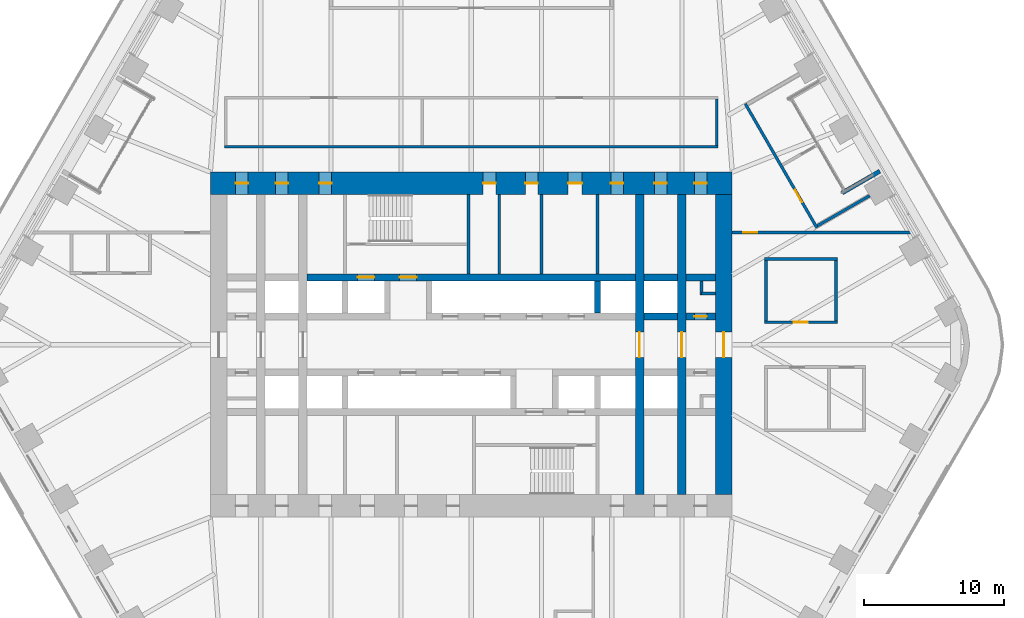
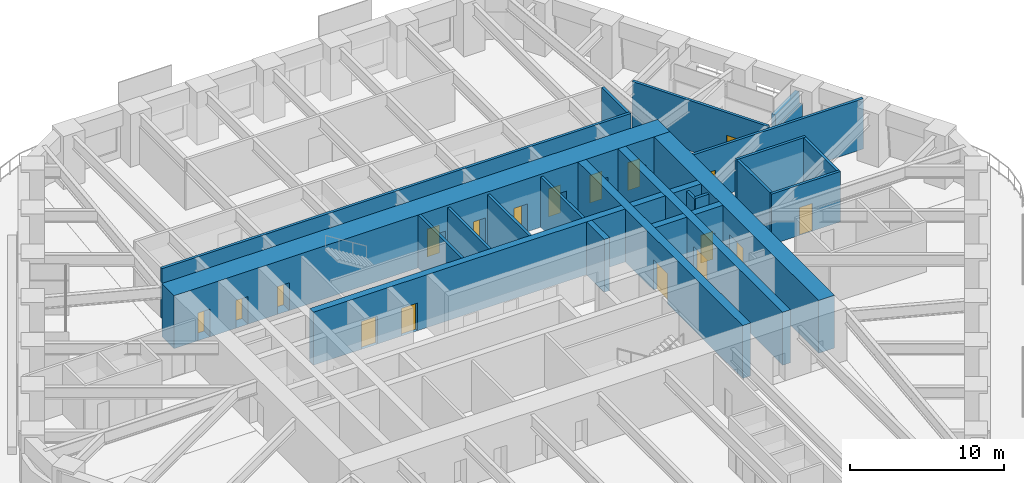
# One storey, part 20 of 24: 26 walls, 18 doors, 18 openings.
"""IFC4 building model written with IfcOpenShell, lengths in metres."""

import ifcopenshell
import ifcopenshell.guid

model = None  # the IFC model being written
_history = None  # IfcOwnerHistory: only IFC2X3 demands one
_inside = {}  # id of a spatial element -> (the spatial element, [elements in it])
_under = {}  # id of a project, library or spatial element -> (it, [spatial elements below it])
_declared = {}  # id of a project -> (the project, [libraries it declares])
_typed = {}  # id of a type object -> (the type object, [elements of that type])
_made_of = {}  # id of a material, layer set ... -> (it, [elements and type objects made of it])


def new_model(schema):
    """Start an empty IFC model of exactly this schema.

    Asked for "IFC4X3", IfcOpenShell would pick the latest addendum, in which some entities
    have other attributes; the version numbers below select the first issue.
    IFC2X3 requires an IfcOwnerHistory on every rooted entity: one is made here for all.
    """
    global model, _history
    if schema == "IFC4X3":
        model = ifcopenshell.file(schema_version=(4, 3, 0, 0))
    else:
        model = ifcopenshell.file(schema=schema)
    _inside.clear()
    _under.clear()
    _declared.clear()
    _typed.clear()
    _made_of.clear()
    _history = None
    if model.schema == "IFC2X3":
        org = make("IfcOrganization", Name="unknown")
        user = make(
            "IfcPersonAndOrganization",
            ThePerson=make("IfcPerson", FamilyName="unknown"),
            TheOrganization=org,
        )
        app = make(
            "IfcApplication",
            ApplicationDeveloper=org,
            Version="unknown",
            ApplicationFullName="unknown",
            ApplicationIdentifier="unknown",
        )
        _history = make(
            "IfcOwnerHistory",
            OwningUser=user,
            OwningApplication=app,
            ChangeAction="ADDED",
            CreationDate=0,
        )
    return model


def make(cls, **values):
    """One entity of the class cls with the attributes given. An attribute that is None is left unset."""
    return model.create_entity(
        cls, **{name: value for name, value in values.items() if value is not None}
    )


def rooted(cls, **values):
    """An entity with a GlobalId (a new one), such as an element, a storey or a relation."""
    return make(cls, GlobalId=ifcopenshell.guid.new(), OwnerHistory=_history, **values)


def si_unit(unit_type, name, prefix=None):
    """IfcSIUnit, for example si_unit("LENGTHUNIT", "METRE", prefix="MILLI")."""
    return make("IfcSIUnit", UnitType=unit_type, Prefix=prefix, Name=name)


def assignment(units):
    """IfcUnitAssignment: the units of a project."""
    return None if units is None else make("IfcUnitAssignment", Units=units)


def point(xyz):
    """IfcCartesianPoint."""
    return None if xyz is None else make("IfcCartesianPoint", Coordinates=xyz)


def direction(xyz):
    """IfcDirection."""
    return None if xyz is None else make("IfcDirection", DirectionRatios=xyz)


def frame(location, z_axis=None, x_axis=None):
    """IfcAxis2Placement3D, a coordinate frame: its origin and axes. An axis left out is left unset."""
    return make(
        "IfcAxis2Placement3D",
        Location=point(location),
        Axis=direction(z_axis),
        RefDirection=direction(x_axis),
    )


def frame_2d(location, x_axis=None):
    """IfcAxis2Placement2D, a coordinate frame in the plane: its origin and x axis."""
    return make(
        "IfcAxis2Placement2D", Location=point(location), RefDirection=direction(x_axis)
    )


def origin():
    """The frame at (0, 0, 0) with its axes left unset."""
    return frame((0.0, 0.0, 0.0))


def place(relative_to, where):
    """IfcLocalPlacement: puts the frame where relative to a parent placement (None: the world)."""
    return make(
        "IfcLocalPlacement", PlacementRelTo=relative_to, RelativePlacement=where
    )


def context(
    kind, dimensions, precision=None, world=None, true_north=None, identifier=None
):
    """IfcGeometricRepresentationContext, for example the 3D "Model" context."""
    return make(
        "IfcGeometricRepresentationContext",
        ContextIdentifier=identifier,
        ContextType=kind,
        CoordinateSpaceDimension=dimensions,
        Precision=precision,
        WorldCoordinateSystem=world,
        TrueNorth=true_north,
    )


def subcontext(parent, identifier, kind, view, scale=None):
    """IfcGeometricRepresentationSubContext, for example "Body" below "Model"."""
    return make(
        "IfcGeometricRepresentationSubContext",
        ContextIdentifier=identifier,
        ContextType=kind,
        ParentContext=parent,
        TargetScale=scale,
        TargetView=view,
    )


def project(units=None, contexts=None):
    """IfcProject with its units and contexts."""
    return rooted(
        "IfcProject",
        Name="project",
        RepresentationContexts=contexts,
        UnitsInContext=assignment(units),
    )


def spatial(cls, under=None, at=None, **own):
    """A site, building, storey or space (cls), placed at a placement, below another one or the project."""
    s = rooted(cls, ObjectPlacement=at, **own)
    if under is not None:
        _under.setdefault(under.id(), (under, []))[1].append(s)
    return s


def profile(cls, at=None, kind="AREA", **sizes):
    """A parametric profile (cls). Its sizes go by their IFC names, for example OverallWidth=200.0."""
    return make(cls, ProfileType=kind, Position=at, **sizes)


def rectangle(**sizes):
    """IfcRectangleProfileDef."""
    return profile("IfcRectangleProfileDef", **sizes)


def extrude(swept, where, along, depth):
    """IfcExtrudedAreaSolid: the profile swept, set in the frame where, extruded along a direction by depth."""
    return make(
        "IfcExtrudedAreaSolid",
        SweptArea=swept,
        Position=where,
        ExtrudedDirection=direction(along),
        Depth=depth,
    )


def shape(context_of_items, identifier, shape_type, items):
    """IfcShapeRepresentation: the items that make up one representation, for example the "Body"."""
    return make(
        "IfcShapeRepresentation",
        ContextOfItems=context_of_items,
        RepresentationIdentifier=identifier,
        RepresentationType=shape_type,
        Items=items,
    )


def material(Name=None, Category=None):
    """IfcMaterial."""
    return make("IfcMaterial", Name=Name, Category=Category)


def layer(
    of_material, thickness, ventilated=None, Name=None, Category=None, Priority=None
):
    """IfcMaterialLayer: one layer of a wall or slab, of a material (None: an air gap)."""
    return make(
        "IfcMaterialLayer",
        Material=of_material,
        LayerThickness=thickness,
        IsVentilated=ventilated,
        Name=Name,
        Category=Category,
        Priority=Priority,
    )


def layer_set(layers, Name=None):
    """IfcMaterialLayerSet."""
    return make("IfcMaterialLayerSet", MaterialLayers=layers, LayerSetName=Name)


def made_of(thing, what):
    """Note that an element or type object is made of a material, layer set ...; save() writes the relation."""
    if what is not None:
        _made_of.setdefault(what.id(), (what, []))[1].append(thing)
    return thing


def type_object(cls, material=None, **own):
    """A type object (cls), such as IfcWallType, which elements share."""
    return made_of(rooted(cls, **own), material)


def element(
    cls,
    number,
    at=None,
    inside=None,
    cuts=None,
    type_object=None,
    material=None,
    context=None,
    identifier="Body",
    shape_type=None,
    held_by="IfcProductDefinitionShape",
    body=None,
    shapes=None,
    **own,
):
    """One element of the class cls, such as IfcWall. Its Tag is "e" and its number.

    at: its placement. inside: the storey or other place that contains it. cuts: it is an
    opening in that element (IfcRelVoidsElement). A single representation is given by context,
    identifier, shape_type and body (its items); several are given by shapes. held_by: the class
    of the entity that holds the representations. save() writes the other relations.
    """
    e = rooted(cls, Tag="e%d" % number, ObjectPlacement=at, **own)
    if body is not None:
        shapes = [shape(context, identifier, shape_type, body)]
    if shapes is not None:
        e.Representation = make(held_by, Representations=shapes)
    if inside is not None:
        _inside.setdefault(inside.id(), (inside, []))[1].append(e)
    if cuts is not None:
        rooted(
            "IfcRelVoidsElement", RelatingBuildingElement=cuts, RelatedOpeningElement=e
        )
    if type_object is not None:
        _typed.setdefault(type_object.id(), (type_object, []))[1].append(e)
    return made_of(e, material)


def fill(opening, filler):
    """IfcRelFillsElement: the door or window that sits in an opening."""
    return rooted(
        "IfcRelFillsElement",
        RelatingOpeningElement=opening,
        RelatedBuildingElement=filler,
    )


def aggregate(whole, parts):
    """IfcRelAggregates: a whole, such as a stair, and the parts it consists of."""
    return rooted("IfcRelAggregates", RelatingObject=whole, RelatedObjects=parts)


def save(model, path):
    """Write the relations noted so far, then the file.

    IfcRelAggregates (storeys below a building ...), IfcRelContainedInSpatialStructure (elements
    in a storey), IfcRelDefinesByType, IfcRelAssociatesMaterial and IfcRelDeclares: one each for
    every whole, place, type object, material and project.
    """
    for whole, parts in _under.values():
        aggregate(whole, parts)
    for where, things in _inside.values():
        rooted(
            "IfcRelContainedInSpatialStructure",
            RelatedElements=things,
            RelatingStructure=where,
        )
    for kind, things in _typed.values():
        rooted("IfcRelDefinesByType", RelatedObjects=things, RelatingType=kind)
    for what, things in _made_of.values():
        rooted("IfcRelAssociatesMaterial", RelatedObjects=things, RelatingMaterial=what)
    for by, libraries in _declared.values():
        rooted("IfcRelDeclares", RelatingContext=by, RelatedDefinitions=libraries)
    model.write(path)


model = new_model("IFC4")

# Units and contexts
model_context = context("Model", 3, precision=1e-05, world=origin(), true_north=direction((0.0, 1.0)))
body_context = subcontext(model_context, "Body", "Model", "MODEL_VIEW")
ifc_project = project(units=[si_unit("LENGTHUNIT", "METRE"), si_unit("AREAUNIT", "SQUARE_METRE"), si_unit("VOLUMEUNIT", "CUBIC_METRE"), si_unit("PLANEANGLEUNIT", "RADIAN"), si_unit("MASSUNIT", "GRAM", prefix="KILO")], contexts=[model_context])

# Site, building, storey
site_placement = place(None, origin())
site = spatial("IfcSite", under=ifc_project, at=site_placement, CompositionType="ELEMENT")
building_placement = place(site_placement, origin())
building = spatial("IfcBuilding", under=site, at=building_placement, Name="Tarfa Lantern Tower", CompositionType="ELEMENT")
storey_placement = place(building_placement, frame((0.0, 0.0, 140.5)))
storey = spatial("IfcBuildingStorey", under=building, at=storey_placement, Name="L31", CompositionType="ELEMENT", Elevation=140.5)

# Walls
ifc_material_1 = material(Name="Limestone cladding on blockwork", Category="masonry")
ifc_layer_1 = layer(ifc_material_1, 0.300048828125)
ifc_layer_set_1 = layer_set([ifc_layer_1], Name="EW1 STONE-CLAD WALL 300")
wall_type_1 = type_object("IfcWallType", Name="EW1 STONE-CLAD WALL 300", PredefinedType="SOLIDWALL", material=ifc_layer_set_1)
wall_1_placement = place(storey_placement, frame((29.1201171875, 12.362548828125, 0.0), z_axis=(0.0, 0.0, 1.0), x_axis=(-0.86602952684, -0.49999285859, 0.0)))
element("IfcWall", 1, at=wall_1_placement, inside=storey, type_object=wall_type_1, Name="Loggia return NE 1", PredefinedType="SOLIDWALL", context=body_context, shape_type="SweptSolid", body=[
    extrude(rectangle(XDim=3.10009765625, YDim=0.300048828125, at=frame_2d((1.550048828125, 0.0))), origin(), (0.0, 0.0, 1.0), 2.75),
])
ifc_material_2 = material(Name="Concrete blockwork", Category="masonry")
ifc_layer_2 = layer(ifc_material_2, 0.199951171875)
ifc_layer_set_2 = layer_set([ifc_layer_2], Name="IW1 BLOCKWORK PARTITION 200 EI 120")
wall_type_2 = type_object("IfcWallType", Name="IW1 BLOCKWORK PARTITION 200 EI 120", PredefinedType="PARTITIONING", material=ifc_layer_set_2)
for number, where, z_axis, x_axis, name in (
    (2, (9.0, 5.050048828125, 0.0), (0.0, 0.0, 1.0), (0.0, 1.0, 0.0), "Core partition"),
    (3, (2.0, 5.050048828125, 0.0), (0.0, 0.0, 1.0), (0.0, 1.0, 0.0), "Core partition"),
    (4, (5.0, 5.050048828125, 0.0), (0.0, 0.0, 1.0), (0.0, 1.0, 0.0), "Core partition"),
):
    element("IfcWall", number, at=place(storey_placement, frame(where, z_axis=z_axis, x_axis=x_axis)), inside=storey, type_object=wall_type_2, Name=name, PredefinedType="PARTITIONING", context=body_context, shape_type="SweptSolid", body=[
        extrude(rectangle(XDim=5.64990234375, YDim=0.199951171875, at=frame_2d((2.824951171875, 0.0))), origin(), (0.0, 0.0, 1.0), 4.0),
    ])
for number, where, z_axis, x_axis, name in (
    (5, (16.39990234375, 3.64990234375, 0.0), (0.0, 0.0, 1.0), (1.0, 0.0, 0.0), "Core partition"),
    (6, (16.39990234375, 3.550048828125, 0.0), (0.0, 0.0, 1.0), (0.0, 1.0, 0.0), "Core partition"),
):
    element("IfcWall", number, at=place(storey_placement, frame(where, z_axis=z_axis, x_axis=x_axis)), inside=storey, type_object=wall_type_2, Name=name, PredefinedType="PARTITIONING", context=body_context, shape_type="SweptSolid", body=[
        extrude(rectangle(XDim=1.0, YDim=0.199951171875, at=frame_2d((0.5, 0.0))), origin(), (0.0, 0.0, 1.0), 4.0),
    ])
ifc_material_3 = material(Name="Gypsum board on steel studs", Category="steel")
ifc_layer_3 = layer(ifc_material_3, 0.2099609375)
ifc_layer_set_3 = layer_set([ifc_layer_3], Name="IW2 ACOUSTIC PARTITION 200")
wall_type_3 = type_object("IfcWallType", Name="IW2 ACOUSTIC PARTITION 200", PredefinedType="PARTITIONING", material=ifc_layer_set_3)
wall_2_placement = place(storey_placement, frame((-17.60009765625, 14.10009765625, 0.0), z_axis=(0.0, 0.0, 1.0), x_axis=(1.0, 0.0, 0.0)))
element("IfcWall", 7, at=wall_2_placement, inside=storey, type_object=wall_type_3, Name="Partition", PredefinedType="PARTITIONING", context=body_context, shape_type="SweptSolid", body=[
    extrude(rectangle(XDim=35.2001953125, YDim=0.199951171875, at=frame_2d((17.60009765625, 0.0))), origin(), (0.0, 0.0, 1.0), 4.0),
])
wall_3_placement = place(storey_placement, frame((17.5, 14.199951171875, 0.0), z_axis=(0.0, 0.0, 1.0), x_axis=(0.0, 1.0, 0.0)))
element("IfcWall", 8, at=wall_3_placement, inside=storey, type_object=wall_type_3, Name="Partition", PredefinedType="PARTITIONING", context=body_context, shape_type="SweptSolid", body=[
    extrude(rectangle(XDim=3.300048828125, YDim=0.199951171875, at=frame_2d((1.64990234375, 0.0))), origin(), (0.0, 0.0, 1.0), 4.0),
])

# Wall, opening, door
wall_4_placement = place(storey_placement, frame((24.635498046875, 8.330078125, 0.0), z_axis=(0.0, 0.0, 1.0), x_axis=(-0.500005407604, 0.86602228168, 0.0)))
wall_4 = element("IfcWall", 9, at=wall_4_placement, inside=storey, type_object=wall_type_3, Name="Partition", PredefinedType="PARTITIONING", context=body_context, shape_type="SweptSolid", body=[
    extrude(rectangle(XDim=10.20751953125, YDim=0.199951171875, at=frame_2d((5.103759765625, 0.0))), origin(), (0.0, 0.0, 1.0), 4.0),
])
opening_1_placement = place(wall_4_placement, frame((2.101806640625, 0.0, 0.0)))
opening_1 = element("IfcOpeningElement", 10, at=opening_1_placement, cuts=wall_4, Name="Opening D37", PredefinedType="OPENING", context=body_context, shape_type="SweptSolid", body=[
    extrude(rectangle(XDim=1.0, YDim=2.199951171875, at=frame_2d((0.5, 1.10009765625))), frame((0.0, 0.10986328125, 0.0), z_axis=(0.0, -1.0, 0.0), x_axis=(1.0, 0.0, 0.0)), (0.0, 0.0, 1.0), 0.219970703125),
])
ifc_material_4 = material(Name="Timber door", Category="wood")
door_type_1 = type_object("IfcDoorType", Name="DR1 ROOM DOOR 1000x2200", OperationType="SINGLE_SWING_LEFT", PredefinedType="DOOR", material=ifc_material_4)
door_1_placement = place(opening_1_placement, frame((1.0, 0.0, 0.0), z_axis=(0.0, 0.0, 1.0), x_axis=(-1.0, 0.0, 0.0)))
door_1 = element("IfcDoor", 11, at=door_1_placement, inside=storey, type_object=door_type_1, Name="Treasury reception door", OperationType="SINGLE_SWING_LEFT", OverallHeight=2.199951171875, OverallWidth=1.0, PredefinedType="DOOR", context=body_context, shape_type="SweptSolid", body=[
    extrude(rectangle(XDim=1.0, YDim=2.199951171875, at=frame_2d((0.5, 1.10009765625))), frame((0.0, 0.02490234375, 0.0), z_axis=(0.0, -1.0, 0.0), x_axis=(1.0, 0.0, 0.0)), (0.0, 0.0, 1.0), 0.050048828125),
])
fill(opening_1, door_1)

# Wall
wall_5_placement = place(storey_placement, frame((24.672119140625, 8.466552734375, 0.0), z_axis=(0.0, 0.0, 1.0), x_axis=(0.866008775485, 0.500028799954, 0.0)))
element("IfcWall", 12, at=wall_5_placement, inside=storey, type_object=wall_type_3, Name="Partition", PredefinedType="PARTITIONING", context=body_context, shape_type="SweptSolid", body=[
    extrude(rectangle(XDim=4.300048828125, YDim=0.199951171875, at=frame_2d((2.14990234375, 0.0))), origin(), (0.0, 0.0, 1.0), 3.08154296875),
])

# Wall, opening, door
wall_6_placement = place(storey_placement, frame((20.89990234375, 1.60009765625, 0.0), z_axis=(0.0, 0.0, 1.0), x_axis=(1.0, 0.0, 0.0)))
wall_6 = element("IfcWall", 13, at=wall_6_placement, inside=storey, type_object=wall_type_3, Name="Partition", PredefinedType="PARTITIONING", context=body_context, shape_type="SweptSolid", body=[
    extrude(rectangle(XDim=5.2001953125, YDim=0.199951171875, at=frame_2d((2.60009765625, 0.0))), origin(), (0.0, 0.0, 1.0), 4.0),
])
opening_2_placement = place(wall_6_placement, frame((2.10009765625, 0.0, 0.0)))
opening_2 = element("IfcOpeningElement", 14, at=opening_2_placement, cuts=wall_6, Name="Opening D33", PredefinedType="OPENING", context=body_context, shape_type="SweptSolid", body=[
    extrude(rectangle(XDim=1.0, YDim=2.199951171875, at=frame_2d((0.5, 1.10009765625))), frame((0.0, 0.10986328125, 0.0), z_axis=(0.0, -1.0, 0.0), x_axis=(1.0, 0.0, 0.0)), (0.0, 0.0, 1.0), 0.219970703125),
])
door_2_placement = place(opening_2_placement, origin())
door_2 = element("IfcDoor", 15, at=door_2_placement, inside=storey, type_object=door_type_1, Name="Meeting room door", OperationType="SINGLE_SWING_RIGHT", OverallHeight=2.199951171875, OverallWidth=1.0, PredefinedType="DOOR", context=body_context, shape_type="SweptSolid", body=[
    extrude(rectangle(XDim=1.0, YDim=2.199951171875, at=frame_2d((0.5, 1.10009765625))), frame((0.0, 0.02490234375, 0.0), z_axis=(0.0, -1.0, 0.0), x_axis=(1.0, 0.0, 0.0)), (0.0, 0.0, 1.0), 0.050048828125),
])
fill(opening_2, door_2)

# Walls
wall_7_placement = place(storey_placement, frame((20.89990234375, 6.10009765625, 0.0), z_axis=(0.0, 0.0, 1.0), x_axis=(1.0, 0.0, 0.0)))
element("IfcWall", 16, at=wall_7_placement, inside=storey, type_object=wall_type_3, Name="Partition", PredefinedType="PARTITIONING", context=body_context, shape_type="SweptSolid", body=[
    extrude(rectangle(XDim=5.2001953125, YDim=0.199951171875, at=frame_2d((2.60009765625, 0.0))), origin(), (0.0, 0.0, 1.0), 4.0),
])
for number, where, z_axis, x_axis, name in (
    (17, (21.0, 1.699951171875, 0.0), (0.0, 0.0, 1.0), (0.0, 1.0, 0.0), "Partition"),
    (18, (26.0, 1.699951171875, 0.0), (0.0, 0.0, 1.0), (0.0, 1.0, 0.0), "Partition"),
):
    element("IfcWall", number, at=place(storey_placement, frame(where, z_axis=z_axis, x_axis=x_axis)), inside=storey, type_object=wall_type_3, Name=name, PredefinedType="PARTITIONING", context=body_context, shape_type="SweptSolid", body=[
        extrude(rectangle(XDim=4.300048828125, YDim=0.199951171875, at=frame_2d((2.14990234375, 0.0))), origin(), (0.0, 0.0, 1.0), 4.0),
    ])

# Wall, opening, door
wall_8_placement = place(storey_placement, frame((18.60009765625, 8.0, 0.0), z_axis=(0.0, 0.0, 1.0), x_axis=(1.0, 0.0, 0.0)))
wall_8 = element("IfcWall", 19, at=wall_8_placement, inside=storey, type_object=wall_type_3, Name="Partition", PredefinedType="PARTITIONING", context=body_context, shape_type="SweptSolid", body=[
    extrude(rectangle(XDim=12.89990234375, YDim=0.199951171875, at=frame_2d((6.449951171875, 0.0))), origin(), (0.0, 0.0, 1.0), 4.0),
])
opening_3_placement = place(wall_8_placement, frame((0.7900390625, 0.0, 0.0)))
opening_3 = element("IfcOpeningElement", 20, at=opening_3_placement, cuts=wall_8, Name="Opening D46", PredefinedType="OPENING", context=body_context, shape_type="SweptSolid", body=[
    extrude(rectangle(XDim=1.0, YDim=2.199951171875, at=frame_2d((0.5, 1.10009765625))), frame((0.0, 0.10986328125, 0.0), z_axis=(0.0, -1.0, 0.0), x_axis=(1.0, 0.0, 0.0)), (0.0, 0.0, 1.0), 0.219970703125),
])
door_3_placement = place(opening_3_placement, frame((1.0, 0.0, 0.0), z_axis=(0.0, 0.0, 1.0), x_axis=(-1.0, 0.0, 0.0)))
door_3 = element("IfcDoor", 21, at=door_3_placement, inside=storey, type_object=door_type_1, Name="Zone door", OperationType="SINGLE_SWING_LEFT", OverallHeight=2.199951171875, OverallWidth=1.0, PredefinedType="DOOR", context=body_context, shape_type="SweptSolid", body=[
    extrude(rectangle(XDim=1.0, YDim=2.199951171875, at=frame_2d((0.5, 1.10009765625))), frame((0.0, 0.02490234375, 0.0), z_axis=(0.0, -1.0, 0.0), x_axis=(1.0, 0.0, 0.0)), (0.0, 0.0, 1.0), 0.050048828125),
])
fill(opening_3, door_3)

ifc_material_5 = material(Name="Concrete C80/95", Category="concrete")
ifc_layer_4 = layer(ifc_material_5, 1.199951171875)
ifc_layer_set_4 = layer_set([ifc_layer_4], Name="SW1 CORE WALL 1200")
wall_type_4 = type_object("IfcWallType", Name="SW1 CORE WALL 1200", PredefinedType="SHEAR", material=ifc_layer_set_4)
wall_9_placement = place(storey_placement, frame((18.0, -10.699951171875, 0.0), z_axis=(0.0, 0.0, 1.0), x_axis=(0.0, 1.0, 0.0)))
wall_9 = element("IfcWall", 22, at=wall_9_placement, inside=storey, type_object=wall_type_4, Name="Core wall E", PredefinedType="SHEAR", context=body_context, shape_type="SweptSolid", body=[
    extrude(rectangle(XDim=21.39990234375, YDim=1.199951171875, at=frame_2d((10.699951171875, 0.0))), origin(), (0.0, 0.0, 1.0), 4.199951171875),
])
opening_4_placement = place(wall_9_placement, frame((9.800048828125, 0.0, 0.0)))
opening_4 = element("IfcOpeningElement", 23, at=opening_4_placement, cuts=wall_9, Name="Opening D15", PredefinedType="OPENING", context=body_context, shape_type="SweptSolid", body=[
    extrude(rectangle(XDim=1.800048828125, YDim=2.39990234375, at=frame_2d((0.89990234375, 1.199951171875))), frame((0.0, 0.60986328125, 0.0), z_axis=(0.0, -1.0, 0.0), x_axis=(1.0, 0.0, 0.0)), (0.0, 0.0, 1.0), 1.219970703125),
])
ifc_material_6 = material(Name="Steel fire door", Category="steel")
door_type_2 = type_object("IfcDoorType", Name="DL1 LOBBY DOOR 1800x2400", OperationType="DOUBLE_DOOR_SINGLE_SWING", PredefinedType="DOOR", material=ifc_material_6)
door_4_placement = place(opening_4_placement, frame((1.800048828125, 0.0, 0.0), z_axis=(0.0, 0.0, 1.0), x_axis=(-1.0, 0.0, 0.0)))
door_4 = element("IfcDoor", 24, at=door_4_placement, inside=storey, type_object=door_type_2, Name="Lift lobby door", OperationType="DOUBLE_DOOR_SINGLE_SWING", OverallHeight=2.39990234375, OverallWidth=1.800048828125, PredefinedType="DOOR", context=body_context, shape_type="SweptSolid", body=[
    extrude(rectangle(XDim=1.800048828125, YDim=2.39990234375, at=frame_2d((0.89990234375, 1.199951171875))), frame((0.0, 0.02490234375, 0.0), z_axis=(0.0, -1.0, 0.0), x_axis=(1.0, 0.0, 0.0)), (0.0, 0.0, 1.0), 0.050048828125),
])
fill(opening_4, door_4)

# Walls
ifc_layer_5 = layer(ifc_material_5, 0.199951171875)
ifc_layer_set_5 = layer_set([ifc_layer_5], Name="SW12 CORE WALL 200")
wall_type_5 = type_object("IfcWallType", Name="SW12 CORE WALL 200", PredefinedType="SHEAR", material=ifc_layer_set_5)
wall_10_placement = place(storey_placement, frame((-0.199951171875, 5.050048828125, 0.0), z_axis=(0.0, 0.0, 1.0), x_axis=(0.0, 1.0, 0.0)))
element("IfcWall", 25, at=wall_10_placement, inside=storey, type_object=wall_type_5, Name="Core wall stair shaft N", PredefinedType="SHEAR", context=body_context, shape_type="SweptSolid", body=[
    extrude(rectangle(XDim=5.64990234375, YDim=0.199951171875, at=frame_2d((2.824951171875, 0.0))), origin(), (0.0, 0.0, 1.0), 4.199951171875),
])
ifc_layer_6 = layer(ifc_material_5, 0.5)
ifc_layer_set_6 = layer_set([ifc_layer_6], Name="SW5 CORE WALL 500")
wall_type_6 = type_object("IfcWallType", Name="SW5 CORE WALL 500", PredefinedType="SHEAR", material=ifc_layer_set_6)
wall_11_placement = place(storey_placement, frame((12.300048828125, 2.0, 0.0), z_axis=(0.0, 0.0, 1.0), x_axis=(1.0, 0.0, 0.0)))
element("IfcWall", 26, at=wall_11_placement, inside=storey, type_object=wall_type_6, Name="Core wall lobby east N", PredefinedType="SHEAR", context=body_context, shape_type="SweptSolid", body=[
    extrude(rectangle(XDim=2.39990234375, YDim=0.5, at=frame_2d((1.199951171875, 0.0))), origin(), (0.0, 0.0, 1.0), 4.199951171875),
])

# Wall, opening, door
wall_12_placement = place(storey_placement, frame((15.300048828125, 2.0, 0.0), z_axis=(0.0, 0.0, 1.0), x_axis=(1.0, 0.0, 0.0)))
wall_12 = element("IfcWall", 27, at=wall_12_placement, inside=storey, type_object=wall_type_6, Name="Core wall lobby east N", PredefinedType="SHEAR", context=body_context, shape_type="SweptSolid", body=[
    extrude(rectangle(XDim=2.099853515625, YDim=0.5, at=frame_2d((1.0498046875, 0.0))), origin(), (0.0, 0.0, 1.0), 4.199951171875),
])
opening_5_placement = place(wall_12_placement, frame((0.60009765625, 0.0, 0.0)))
opening_5 = element("IfcOpeningElement", 28, at=opening_5_placement, cuts=wall_12, Name="Opening D17", PredefinedType="OPENING", context=body_context, shape_type="SweptSolid", body=[
    extrude(rectangle(XDim=0.89990234375, YDim=2.199951171875, at=frame_2d((0.449951171875, 1.10009765625))), frame((0.0, 0.260009765625, 0.0), z_axis=(0.0, -1.0, 0.0), x_axis=(1.0, 0.0, 0.0)), (0.0, 0.0, 1.0), 0.52001953125),
])
door_type_3 = type_object("IfcDoorType", Name="DF6 SERVICE ROOM DOOR 900x2200", OperationType="SINGLE_SWING_LEFT", PredefinedType="DOOR", material=ifc_material_6)
door_5_placement = place(opening_5_placement, origin())
door_5 = element("IfcDoor", 29, at=door_5_placement, inside=storey, type_object=door_type_3, Name="Service room door", OperationType="SINGLE_SWING_LEFT", OverallHeight=2.199951171875, OverallWidth=0.89990234375, PredefinedType="DOOR", context=body_context, shape_type="SweptSolid", body=[
    extrude(rectangle(XDim=0.89990234375, YDim=2.199951171875, at=frame_2d((0.449951171875, 1.10009765625))), frame((0.0, 0.02490234375, 0.0), z_axis=(0.0, -1.0, 0.0), x_axis=(1.0, 0.0, 0.0)), (0.0, 0.0, 1.0), 0.050048828125),
])
fill(opening_5, door_5)

# Wall, openings, doors
wall_13_placement = place(storey_placement, frame((-11.699951171875, 4.800048828125, 0.0), z_axis=(0.0, 0.0, 1.0), x_axis=(1.0, 0.0, 0.0)))
wall_13 = element("IfcWall", 30, at=wall_13_placement, inside=storey, type_object=wall_type_6, Name="Core wall rear N", PredefinedType="SHEAR", context=body_context, shape_type="SweptSolid", body=[
    extrude(rectangle(XDim=23.39990234375, YDim=0.5, at=frame_2d((11.699951171875, 0.0))), origin(), (0.0, 0.0, 1.0), 4.199951171875),
])
opening_6_placement = place(wall_13_placement, frame((6.60009765625, 0.0, 0.0)))
opening_6 = element("IfcOpeningElement", 31, at=opening_6_placement, cuts=wall_13, Name="Opening D13", PredefinedType="OPENING", context=body_context, shape_type="SweptSolid", body=[
    extrude(rectangle(XDim=1.199951171875, YDim=2.199951171875, at=frame_2d((0.60009765625, 1.10009765625))), frame((0.0, 0.260009765625, 0.0), z_axis=(0.0, -1.0, 0.0), x_axis=(1.0, 0.0, 0.0)), (0.0, 0.0, 1.0), 0.52001953125),
])
opening_7_placement = place(wall_13_placement, frame((3.60009765625, 0.0, 0.0)))
opening_7 = element("IfcOpeningElement", 32, at=opening_7_placement, cuts=wall_13, Name="Opening LD01", PredefinedType="OPENING", context=body_context, shape_type="SweptSolid", body=[
    extrude(rectangle(XDim=1.199951171875, YDim=2.199951171875, at=frame_2d((0.60009765625, 1.10009765625))), frame((0.0, 0.260009765625, 0.0), z_axis=(0.0, -1.0, 0.0), x_axis=(1.0, 0.0, 0.0)), (0.0, 0.0, 1.0), 0.52001953125),
])
door_type_4 = type_object("IfcDoorType", Name="DF1 FIREFIGHTING LOBBY DOOR 1200x2200", OperationType="SINGLE_SWING_LEFT", PredefinedType="DOOR", material=ifc_material_6)
door_6_placement = place(opening_6_placement, origin())
door_6 = element("IfcDoor", 33, at=door_6_placement, inside=storey, type_object=door_type_4, Name="Firefighting lobby door", OperationType="SINGLE_SWING_LEFT", OverallHeight=2.199951171875, OverallWidth=1.199951171875, PredefinedType="DOOR", context=body_context, shape_type="SweptSolid", body=[
    extrude(rectangle(XDim=1.199951171875, YDim=2.199951171875, at=frame_2d((0.60009765625, 1.10009765625))), frame((0.0, 0.02490234375, 0.0), z_axis=(0.0, -1.0, 0.0), x_axis=(1.0, 0.0, 0.0)), (0.0, 0.0, 1.0), 0.050048828125),
])
fill(opening_6, door_6)
ifc_material_7 = material(Name="Stainless steel lift door", Category="steel")
door_type_5 = type_object("IfcDoorType", Name="LD1 LIFT LANDING DOOR 1200x2200", OperationType="SLIDING_TO_LEFT", PredefinedType="DOOR", material=ifc_material_7)
door_7_placement = place(opening_7_placement, origin())
door_7 = element("IfcDoor", 34, at=door_7_placement, inside=storey, type_object=door_type_5, Name="Landing door FL1", OperationType="SLIDING_TO_LEFT", OverallHeight=2.199951171875, OverallWidth=1.199951171875, PredefinedType="DOOR", context=body_context, shape_type="SweptSolid", body=[
    extrude(rectangle(XDim=1.199951171875, YDim=2.199951171875, at=frame_2d((0.60009765625, 1.10009765625))), frame((0.0, 0.02490234375, 0.0), z_axis=(0.0, -1.0, 0.0), x_axis=(1.0, 0.0, 0.0)), (0.0, 0.0, 1.0), 0.050048828125),
])
fill(opening_7, door_7)

# Walls
wall_14_placement = place(storey_placement, frame((12.300048828125, 4.800048828125, 0.0), z_axis=(0.0, 0.0, 1.0), x_axis=(1.0, 0.0, 0.0)))
element("IfcWall", 35, at=wall_14_placement, inside=storey, type_object=wall_type_6, Name="Core wall rear N", PredefinedType="SHEAR", context=body_context, shape_type="SweptSolid", body=[
    extrude(rectangle(XDim=2.39990234375, YDim=0.5, at=frame_2d((1.199951171875, 0.0))), origin(), (0.0, 0.0, 1.0), 4.199951171875),
])
wall_15_placement = place(storey_placement, frame((15.300048828125, 4.800048828125, 0.0), z_axis=(0.0, 0.0, 1.0), x_axis=(1.0, 0.0, 0.0)))
element("IfcWall", 36, at=wall_15_placement, inside=storey, type_object=wall_type_6, Name="Core wall rear N", PredefinedType="SHEAR", context=body_context, shape_type="SweptSolid", body=[
    extrude(rectangle(XDim=2.099853515625, YDim=0.5, at=frame_2d((1.0498046875, 0.0))), origin(), (0.0, 0.0, 1.0), 4.199951171875),
])
ifc_layer_7 = layer(ifc_material_5, 0.39990234375)
ifc_layer_set_7 = layer_set([ifc_layer_7], Name="SW6 CORE WALL 400")
wall_type_7 = type_object("IfcWallType", Name="SW6 CORE WALL 400", PredefinedType="SHEAR", material=ifc_layer_set_7)
wall_16_placement = place(storey_placement, frame((9.0, 2.25, 0.0), z_axis=(0.0, 0.0, 1.0), x_axis=(0.0, 1.0, 0.0)))
element("IfcWall", 37, at=wall_16_placement, inside=storey, type_object=wall_type_7, Name="Core wall divider N", PredefinedType="SHEAR", context=body_context, shape_type="SweptSolid", body=[
    extrude(rectangle(XDim=2.300048828125, YDim=0.39990234375, at=frame_2d((1.14990234375, 0.0))), origin(), (0.0, 0.0, 1.0), 4.199951171875),
])

# Wall, openings, doors
ifc_layer_8 = layer(ifc_material_5, 1.60009765625)
ifc_layer_set_8 = layer_set([ifc_layer_8], Name="SW7 CORE WALL 1600")
wall_type_8 = type_object("IfcWallType", Name="SW7 CORE WALL 1600", PredefinedType="SHEAR", material=ifc_layer_set_8)
wall_17_placement = place(storey_placement, frame((-18.60009765625, 11.5, 0.0), z_axis=(0.0, 0.0, 1.0), x_axis=(1.0, 0.0, 0.0)))
wall_17 = element("IfcWall", 38, at=wall_17_placement, inside=storey, type_object=wall_type_8, Name="Core wall N", PredefinedType="SHEAR", context=body_context, shape_type="SweptSolid", body=[
    extrude(rectangle(XDim=37.2001953125, YDim=1.60009765625, at=frame_2d((18.60009765625, 0.0))), origin(), (0.0, 0.0, 1.0), 4.199951171875),
])
opening_8_placement = place(wall_17_placement, frame((19.449951171875, 0.0, 0.0)))
opening_8 = element("IfcOpeningElement", 39, at=opening_8_placement, cuts=wall_17, Name="Opening D21", PredefinedType="OPENING", context=body_context, shape_type="SweptSolid", body=[
    extrude(rectangle(XDim=0.89990234375, YDim=2.199951171875, at=frame_2d((0.449951171875, 1.10009765625))), frame((0.0, 0.81005859375, 0.0), z_axis=(0.0, -1.0, 0.0), x_axis=(1.0, 0.0, 0.0)), (0.0, 0.0, 1.0), 1.6201171875),
])
opening_9_placement = place(wall_17_placement, frame((22.449951171875, 0.0, 0.0)))
opening_9 = element("IfcOpeningElement", 40, at=opening_9_placement, cuts=wall_17, Name="Opening D23", PredefinedType="OPENING", context=body_context, shape_type="SweptSolid", body=[
    extrude(rectangle(XDim=0.89990234375, YDim=2.199951171875, at=frame_2d((0.449951171875, 1.10009765625))), frame((0.0, 0.81005859375, 0.0), z_axis=(0.0, -1.0, 0.0), x_axis=(1.0, 0.0, 0.0)), (0.0, 0.0, 1.0), 1.6201171875),
])
opening_10_placement = place(wall_17_placement, frame((25.5, 0.0, 0.0)))
opening_10 = element("IfcOpeningElement", 41, at=opening_10_placement, cuts=wall_17, Name="Opening D25", PredefinedType="OPENING", context=body_context, shape_type="SweptSolid", body=[
    extrude(rectangle(XDim=1.0, YDim=2.199951171875, at=frame_2d((0.5, 1.10009765625))), frame((0.0, 0.81005859375, 0.0), z_axis=(0.0, -1.0, 0.0), x_axis=(1.0, 0.0, 0.0)), (0.0, 0.0, 1.0), 1.6201171875),
])
opening_11_placement = place(wall_17_placement, frame((1.800048828125, 0.0, 0.0)))
opening_11 = element("IfcOpeningElement", 42, at=opening_11_placement, cuts=wall_17, Name="Opening D11", PredefinedType="OPENING", context=body_context, shape_type="SweptSolid", body=[
    extrude(rectangle(XDim=0.89990234375, YDim=2.199951171875, at=frame_2d((0.449951171875, 1.10009765625))), frame((0.0, 0.81005859375, 0.0), z_axis=(0.0, -1.0, 0.0), x_axis=(1.0, 0.0, 0.0)), (0.0, 0.0, 1.0), 1.6201171875),
])
opening_12_placement = place(wall_17_placement, frame((4.64990234375, 0.0, 0.0)))
opening_12 = element("IfcOpeningElement", 43, at=opening_12_placement, cuts=wall_17, Name="Opening D07", PredefinedType="OPENING", context=body_context, shape_type="SweptSolid", body=[
    extrude(rectangle(XDim=0.89990234375, YDim=2.199951171875, at=frame_2d((0.449951171875, 1.10009765625))), frame((0.0, 0.81005859375, 0.0), z_axis=(0.0, -1.0, 0.0), x_axis=(1.0, 0.0, 0.0)), (0.0, 0.0, 1.0), 1.6201171875),
])
opening_13_placement = place(wall_17_placement, frame((7.75, 0.0, 0.0)))
opening_13 = element("IfcOpeningElement", 44, at=opening_13_placement, cuts=wall_17, Name="Opening D09", PredefinedType="OPENING", context=body_context, shape_type="SweptSolid", body=[
    extrude(rectangle(XDim=0.89990234375, YDim=2.199951171875, at=frame_2d((0.449951171875, 1.10009765625))), frame((0.0, 0.81005859375, 0.0), z_axis=(0.0, -1.0, 0.0), x_axis=(1.0, 0.0, 0.0)), (0.0, 0.0, 1.0), 1.6201171875),
])
opening_14_placement = place(wall_17_placement, frame((28.550048828125, 0.0, 0.0)))
opening_14 = element("IfcOpeningElement", 45, at=opening_14_placement, cuts=wall_17, Name="Opening D05", PredefinedType="OPENING", context=body_context, shape_type="SweptSolid", body=[
    extrude(rectangle(XDim=0.89990234375, YDim=2.199951171875, at=frame_2d((0.449951171875, 1.10009765625))), frame((0.0, 0.81005859375, 0.0), z_axis=(0.0, -1.0, 0.0), x_axis=(1.0, 0.0, 0.0)), (0.0, 0.0, 1.0), 1.6201171875),
])
opening_15_placement = place(wall_17_placement, frame((31.64990234375, 0.0, 0.0)))
opening_15 = element("IfcOpeningElement", 46, at=opening_15_placement, cuts=wall_17, Name="Opening D01", PredefinedType="OPENING", context=body_context, shape_type="SweptSolid", body=[
    extrude(rectangle(XDim=0.89990234375, YDim=2.199951171875, at=frame_2d((0.449951171875, 1.10009765625))), frame((0.0, 0.81005859375, 0.0), z_axis=(0.0, -1.0, 0.0), x_axis=(1.0, 0.0, 0.0)), (0.0, 0.0, 1.0), 1.6201171875),
])
opening_16_placement = place(wall_17_placement, frame((34.5, 0.0, 0.0)))
opening_16 = element("IfcOpeningElement", 47, at=opening_16_placement, cuts=wall_17, Name="Opening D03", PredefinedType="OPENING", context=body_context, shape_type="SweptSolid", body=[
    extrude(rectangle(XDim=0.89990234375, YDim=2.199951171875, at=frame_2d((0.449951171875, 1.10009765625))), frame((0.0, 0.81005859375, 0.0), z_axis=(0.0, -1.0, 0.0), x_axis=(1.0, 0.0, 0.0)), (0.0, 0.0, 1.0), 1.6201171875),
])
door_type_6 = type_object("IfcDoorType", Name="DF3 CORE ROOM DOOR 900x2200", OperationType="SINGLE_SWING_LEFT", PredefinedType="DOOR", material=ifc_material_6)
door_8_placement = place(opening_8_placement, frame((0.89990234375, 0.0, 0.0), z_axis=(0.0, 0.0, 1.0), x_axis=(-1.0, 0.0, 0.0)))
door_8 = element("IfcDoor", 48, at=door_8_placement, inside=storey, type_object=door_type_6, Name="Core door", OperationType="SINGLE_SWING_RIGHT", OverallHeight=2.199951171875, OverallWidth=0.89990234375, PredefinedType="DOOR", context=body_context, shape_type="SweptSolid", body=[
    extrude(rectangle(XDim=0.89990234375, YDim=2.199951171875, at=frame_2d((0.449951171875, 1.10009765625))), frame((0.0, 0.02490234375, 0.0), z_axis=(0.0, -1.0, 0.0), x_axis=(1.0, 0.0, 0.0)), (0.0, 0.0, 1.0), 0.050048828125),
])
fill(opening_8, door_8)
door_9_placement = place(opening_9_placement, frame((0.89990234375, 0.0, 0.0), z_axis=(0.0, 0.0, 1.0), x_axis=(-1.0, 0.0, 0.0)))
door_9 = element("IfcDoor", 49, at=door_9_placement, inside=storey, type_object=door_type_6, Name="Core door", OperationType="SINGLE_SWING_RIGHT", OverallHeight=2.199951171875, OverallWidth=0.89990234375, PredefinedType="DOOR", context=body_context, shape_type="SweptSolid", body=[
    extrude(rectangle(XDim=0.89990234375, YDim=2.199951171875, at=frame_2d((0.449951171875, 1.10009765625))), frame((0.0, 0.02490234375, 0.0), z_axis=(0.0, -1.0, 0.0), x_axis=(1.0, 0.0, 0.0)), (0.0, 0.0, 1.0), 0.050048828125),
])
fill(opening_9, door_9)
door_type_7 = type_object("IfcDoorType", Name="DF4 CORE ROOM DOOR 1000x2200", OperationType="SINGLE_SWING_LEFT", PredefinedType="DOOR", material=ifc_material_6)
door_10_placement = place(opening_10_placement, frame((1.0, 0.0, 0.0), z_axis=(0.0, 0.0, 1.0), x_axis=(-1.0, 0.0, 0.0)))
door_10 = element("IfcDoor", 50, at=door_10_placement, inside=storey, type_object=door_type_7, Name="Core door", OperationType="SINGLE_SWING_RIGHT", OverallHeight=2.199951171875, OverallWidth=1.0, PredefinedType="DOOR", context=body_context, shape_type="SweptSolid", body=[
    extrude(rectangle(XDim=1.0, YDim=2.199951171875, at=frame_2d((0.5, 1.10009765625))), frame((0.0, 0.02490234375, 0.0), z_axis=(0.0, -1.0, 0.0), x_axis=(1.0, 0.0, 0.0)), (0.0, 0.0, 1.0), 0.050048828125),
])
fill(opening_10, door_10)
door_type_8 = type_object("IfcDoorType", Name="DF5 RISER DOOR 900x2200", OperationType="SINGLE_SWING_LEFT", PredefinedType="DOOR", material=ifc_material_6)
door_11_placement = place(opening_11_placement, frame((0.89990234375, 0.0, 0.0), z_axis=(0.0, 0.0, 1.0), x_axis=(-1.0, 0.0, 0.0)))
door_11 = element("IfcDoor", 51, at=door_11_placement, inside=storey, type_object=door_type_8, Name="Riser door", OperationType="SINGLE_SWING_LEFT", OverallHeight=2.199951171875, OverallWidth=0.89990234375, PredefinedType="DOOR", context=body_context, shape_type="SweptSolid", body=[
    extrude(rectangle(XDim=0.89990234375, YDim=2.199951171875, at=frame_2d((0.449951171875, 1.10009765625))), frame((0.0, 0.02490234375, 0.0), z_axis=(0.0, -1.0, 0.0), x_axis=(1.0, 0.0, 0.0)), (0.0, 0.0, 1.0), 0.050048828125),
])
fill(opening_11, door_11)
door_12_placement = place(opening_12_placement, frame((0.89990234375, 0.0, 0.0), z_axis=(0.0, 0.0, 1.0), x_axis=(-1.0, 0.0, 0.0)))
door_12 = element("IfcDoor", 52, at=door_12_placement, inside=storey, type_object=door_type_8, Name="Riser door", OperationType="SINGLE_SWING_LEFT", OverallHeight=2.199951171875, OverallWidth=0.89990234375, PredefinedType="DOOR", context=body_context, shape_type="SweptSolid", body=[
    extrude(rectangle(XDim=0.89990234375, YDim=2.199951171875, at=frame_2d((0.449951171875, 1.10009765625))), frame((0.0, 0.02490234375, 0.0), z_axis=(0.0, -1.0, 0.0), x_axis=(1.0, 0.0, 0.0)), (0.0, 0.0, 1.0), 0.050048828125),
])
fill(opening_12, door_12)
door_13_placement = place(opening_13_placement, frame((0.89990234375, 0.0, 0.0), z_axis=(0.0, 0.0, 1.0), x_axis=(-1.0, 0.0, 0.0)))
door_13 = element("IfcDoor", 53, at=door_13_placement, inside=storey, type_object=door_type_8, Name="Riser door", OperationType="SINGLE_SWING_LEFT", OverallHeight=2.199951171875, OverallWidth=0.89990234375, PredefinedType="DOOR", context=body_context, shape_type="SweptSolid", body=[
    extrude(rectangle(XDim=0.89990234375, YDim=2.199951171875, at=frame_2d((0.449951171875, 1.10009765625))), frame((0.0, 0.02490234375, 0.0), z_axis=(0.0, -1.0, 0.0), x_axis=(1.0, 0.0, 0.0)), (0.0, 0.0, 1.0), 0.050048828125),
])
fill(opening_13, door_13)
door_14_placement = place(opening_14_placement, frame((0.89990234375, 0.0, 0.0), z_axis=(0.0, 0.0, 1.0), x_axis=(-1.0, 0.0, 0.0)))
door_14 = element("IfcDoor", 54, at=door_14_placement, inside=storey, type_object=door_type_8, Name="Riser door", OperationType="SINGLE_SWING_RIGHT", OverallHeight=2.199951171875, OverallWidth=0.89990234375, PredefinedType="DOOR", context=body_context, shape_type="SweptSolid", body=[
    extrude(rectangle(XDim=0.89990234375, YDim=2.199951171875, at=frame_2d((0.449951171875, 1.10009765625))), frame((0.0, 0.02490234375, 0.0), z_axis=(0.0, -1.0, 0.0), x_axis=(1.0, 0.0, 0.0)), (0.0, 0.0, 1.0), 0.050048828125),
])
fill(opening_14, door_14)
door_15_placement = place(opening_15_placement, frame((0.89990234375, 0.0, 0.0), z_axis=(0.0, 0.0, 1.0), x_axis=(-1.0, 0.0, 0.0)))
door_15 = element("IfcDoor", 55, at=door_15_placement, inside=storey, type_object=door_type_8, Name="Riser door", OperationType="SINGLE_SWING_RIGHT", OverallHeight=2.199951171875, OverallWidth=0.89990234375, PredefinedType="DOOR", context=body_context, shape_type="SweptSolid", body=[
    extrude(rectangle(XDim=0.89990234375, YDim=2.199951171875, at=frame_2d((0.449951171875, 1.10009765625))), frame((0.0, 0.02490234375, 0.0), z_axis=(0.0, -1.0, 0.0), x_axis=(1.0, 0.0, 0.0)), (0.0, 0.0, 1.0), 0.050048828125),
])
fill(opening_15, door_15)
door_16_placement = place(opening_16_placement, frame((0.89990234375, 0.0, 0.0), z_axis=(0.0, 0.0, 1.0), x_axis=(-1.0, 0.0, 0.0)))
door_16 = element("IfcDoor", 56, at=door_16_placement, inside=storey, type_object=door_type_8, Name="Riser door", OperationType="SINGLE_SWING_RIGHT", OverallHeight=2.199951171875, OverallWidth=0.89990234375, PredefinedType="DOOR", context=body_context, shape_type="SweptSolid", body=[
    extrude(rectangle(XDim=0.89990234375, YDim=2.199951171875, at=frame_2d((0.449951171875, 1.10009765625))), frame((0.0, 0.02490234375, 0.0), z_axis=(0.0, -1.0, 0.0), x_axis=(1.0, 0.0, 0.0)), (0.0, 0.0, 1.0), 0.050048828125),
])
fill(opening_16, door_16)

# Wall, opening, door
ifc_layer_9 = layer(ifc_material_5, 0.60009765625)
ifc_layer_set_9 = layer_set([ifc_layer_9], Name="SW9 CORE WALL 600")
wall_type_9 = type_object("IfcWallType", Name="SW9 CORE WALL 600", PredefinedType="SHEAR", material=ifc_layer_set_9)
wall_18_placement = place(storey_placement, frame((12.0, -10.699951171875, 0.0), z_axis=(0.0, 0.0, 1.0), x_axis=(0.0, 1.0, 0.0)))
wall_18 = element("IfcWall", 57, at=wall_18_placement, inside=storey, type_object=wall_type_9, Name="Core wall cross 12 m east", PredefinedType="SHEAR", context=body_context, shape_type="SweptSolid", body=[
    extrude(rectangle(XDim=21.39990234375, YDim=0.60009765625, at=frame_2d((10.699951171875, 0.0))), origin(), (0.0, 0.0, 1.0), 4.199951171875),
])
opening_17_placement = place(wall_18_placement, frame((9.800048828125, 0.0, 0.0)))
opening_17 = element("IfcOpeningElement", 58, at=opening_17_placement, cuts=wall_18, Name="Opening D29", PredefinedType="OPENING", context=body_context, shape_type="SweptSolid", body=[
    extrude(rectangle(XDim=1.800048828125, YDim=2.39990234375, at=frame_2d((0.89990234375, 1.199951171875))), frame((0.0, 0.31005859375, 0.0), z_axis=(0.0, -1.0, 0.0), x_axis=(1.0, 0.0, 0.0)), (0.0, 0.0, 1.0), 0.6201171875),
])
door_17_placement = place(opening_17_placement, origin())
door_17 = element("IfcDoor", 59, at=door_17_placement, inside=storey, type_object=door_type_2, Name="Lift lobby door", OperationType="DOUBLE_DOOR_SINGLE_SWING", OverallHeight=2.39990234375, OverallWidth=1.800048828125, PredefinedType="DOOR", context=body_context, shape_type="SweptSolid", body=[
    extrude(rectangle(XDim=1.800048828125, YDim=2.39990234375, at=frame_2d((0.89990234375, 1.199951171875))), frame((0.0, 0.02490234375, 0.0), z_axis=(0.0, -1.0, 0.0), x_axis=(1.0, 0.0, 0.0)), (0.0, 0.0, 1.0), 0.050048828125),
])
fill(opening_17, door_17)

wall_19_placement = place(storey_placement, frame((15.0, -10.699951171875, 0.0), z_axis=(0.0, 0.0, 1.0), x_axis=(0.0, 1.0, 0.0)))
wall_19 = element("IfcWall", 60, at=wall_19_placement, inside=storey, type_object=wall_type_9, Name="Core wall cross 15 m east", PredefinedType="SHEAR", context=body_context, shape_type="SweptSolid", body=[
    extrude(rectangle(XDim=21.39990234375, YDim=0.60009765625, at=frame_2d((10.699951171875, 0.0))), origin(), (0.0, 0.0, 1.0), 4.199951171875),
])
opening_18_placement = place(wall_19_placement, frame((9.800048828125, 0.0, 0.0)))
opening_18 = element("IfcOpeningElement", 61, at=opening_18_placement, cuts=wall_19, Name="Opening D30", PredefinedType="OPENING", context=body_context, shape_type="SweptSolid", body=[
    extrude(rectangle(XDim=1.800048828125, YDim=2.39990234375, at=frame_2d((0.89990234375, 1.199951171875))), frame((0.0, 0.31005859375, 0.0), z_axis=(0.0, -1.0, 0.0), x_axis=(1.0, 0.0, 0.0)), (0.0, 0.0, 1.0), 0.6201171875),
])
door_18_placement = place(opening_18_placement, origin())
door_18 = element("IfcDoor", 62, at=door_18_placement, inside=storey, type_object=door_type_2, Name="Lift lobby door", OperationType="DOUBLE_DOOR_SINGLE_SWING", OverallHeight=2.39990234375, OverallWidth=1.800048828125, PredefinedType="DOOR", context=body_context, shape_type="SweptSolid", body=[
    extrude(rectangle(XDim=1.800048828125, YDim=2.39990234375, at=frame_2d((0.89990234375, 1.199951171875))), frame((0.0, 0.02490234375, 0.0), z_axis=(0.0, -1.0, 0.0), x_axis=(1.0, 0.0, 0.0)), (0.0, 0.0, 1.0), 0.050048828125),
])
fill(opening_18, door_18)

save(model, "model.ifc")
